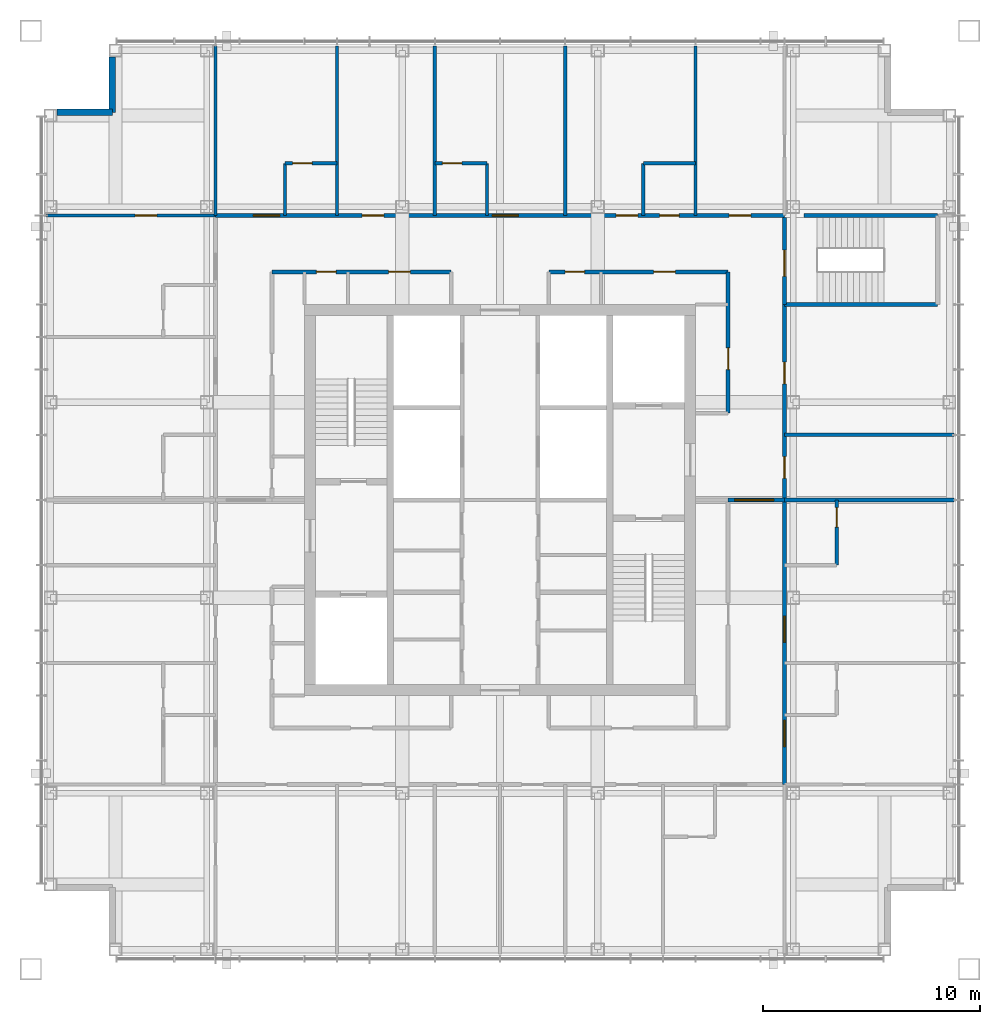
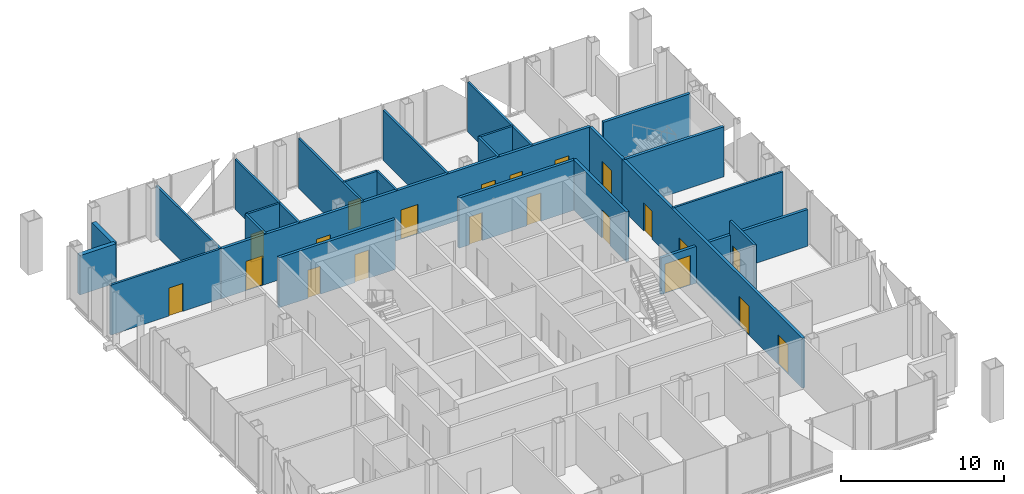
# One storey, part 10 of 14: 26 walls, 21 doors, 21 openings.
"""IFC4 building model written with IfcOpenShell, lengths in metres."""

from ifc_helpers import new_model, si_unit, direction, frame, frame_2d, origin, place, context, subcontext, project, spatial, rectangle, extrude, material, layer, layer_set, type_object, element, fill, save


model = new_model("IFC4")

# Units and contexts
model_context = context("Model", 3, precision=1e-05, world=origin(), true_north=direction((0.0, 1.0)))
body_context = subcontext(model_context, "Body", "Model", "MODEL_VIEW")
ifc_project = project(units=[si_unit("LENGTHUNIT", "METRE"), si_unit("AREAUNIT", "SQUARE_METRE"), si_unit("VOLUMEUNIT", "CUBIC_METRE"), si_unit("PLANEANGLEUNIT", "RADIAN"), si_unit("MASSUNIT", "GRAM", prefix="KILO")], contexts=[model_context])

# Site, building, storey
site_placement = place(None, origin())
site = spatial("IfcSite", under=ifc_project, at=site_placement, CompositionType="ELEMENT")
building_placement = place(site_placement, origin())
building = spatial("IfcBuilding", under=site, at=building_placement, Name="Malebo Sky Hospital", CompositionType="ELEMENT")
storey_placement = place(building_placement, frame((0.0, 0.0, 258.0)))
storey = spatial("IfcBuildingStorey", under=building, at=storey_placement, Name="L62", CompositionType="ELEMENT", Elevation=258.0)

# Wall, openings, doors
ifc_material_1 = material(Name="Gypsum board on steel studs", Category="steel")
ifc_layer_1 = layer(ifc_material_1, 0.199951171875)
ifc_layer_set_1 = layer_set([ifc_layer_1], Name="CORRIDOR WALL 200")
wall_type_1 = type_object("IfcWallType", Name="CORRIDOR WALL 200", PredefinedType="PARTITIONING", material=ifc_layer_set_1)
wall_1_placement = place(storey_placement, frame((46.89990234375, 75.10009765625, 0.0), z_axis=(0.0, 0.0, 1.0), x_axis=(1.0, 0.0, 0.0)))
wall_1 = element("IfcWall", 1, at=wall_1_placement, inside=storey, type_object=wall_type_1, Name="Corridor Wall 200 NCO", PredefinedType="PARTITIONING", context=body_context, shape_type="SweptSolid", body=[
    extrude(rectangle(XDim=26.2001953125, YDim=0.199951171875, at=frame_2d((13.10009765625, 0.0))), origin(), (0.0, 0.0, 1.0), 3.75),
])
opening_1_placement = place(wall_1_placement, frame((1.75, 0.0, 0.0)))
opening_1 = element("IfcOpeningElement", 2, at=opening_1_placement, cuts=wall_1, Name="Opening D01", PredefinedType="OPENING", context=body_context, shape_type="SweptSolid", body=[
    extrude(rectangle(XDim=1.199951171875, YDim=2.199951171875, at=frame_2d((0.60009765625, 1.10009765625))), frame((0.0, 0.10986328125, 0.0), z_axis=(0.0, -1.0, 0.0), x_axis=(1.0, 0.0, 0.0)), (0.0, 0.0, 1.0), 0.219970703125),
])
opening_2_placement = place(wall_1_placement, frame((6.75, 0.0, 0.0)))
opening_2 = element("IfcOpeningElement", 3, at=opening_2_placement, cuts=wall_1, Name="Opening D03", PredefinedType="OPENING", context=body_context, shape_type="SweptSolid", body=[
    extrude(rectangle(XDim=1.0, YDim=2.10009765625, at=frame_2d((0.5, 1.050048828125))), frame((0.0, 0.10986328125, 0.0), z_axis=(0.0, -1.0, 0.0), x_axis=(1.0, 0.0, 0.0)), (0.0, 0.0, 1.0), 0.219970703125),
])
opening_3_placement = place(wall_1_placement, frame((12.75, 0.0, 0.0)))
opening_3 = element("IfcOpeningElement", 4, at=opening_3_placement, cuts=wall_1, Name="Opening D01", PredefinedType="OPENING", context=body_context, shape_type="SweptSolid", body=[
    extrude(rectangle(XDim=1.199951171875, YDim=2.199951171875, at=frame_2d((0.60009765625, 1.10009765625))), frame((0.0, 0.10986328125, 0.0), z_axis=(0.0, -1.0, 0.0), x_axis=(1.0, 0.0, 0.0)), (0.0, 0.0, 1.0), 0.219970703125),
])
opening_4_placement = place(wall_1_placement, frame((20.449951171875, 0.0, 0.0)))
opening_4 = element("IfcOpeningElement", 5, at=opening_4_placement, cuts=wall_1, Name="Opening D04", PredefinedType="OPENING", context=body_context, shape_type="SweptSolid", body=[
    extrude(rectangle(XDim=0.89990234375, YDim=2.10009765625, at=frame_2d((0.449951171875, 1.050048828125))), frame((0.0, 0.10986328125, 0.0), z_axis=(0.0, -1.0, 0.0), x_axis=(1.0, 0.0, 0.0)), (0.0, 0.0, 1.0), 0.219970703125),
])
opening_5_placement = place(wall_1_placement, frame((18.449951171875, 0.0, 0.0)))
opening_5 = element("IfcOpeningElement", 6, at=opening_5_placement, cuts=wall_1, Name="Opening D03", PredefinedType="OPENING", context=body_context, shape_type="SweptSolid", body=[
    extrude(rectangle(XDim=1.0, YDim=2.10009765625, at=frame_2d((0.5, 1.050048828125))), frame((0.0, 0.10986328125, 0.0), z_axis=(0.0, -1.0, 0.0), x_axis=(1.0, 0.0, 0.0)), (0.0, 0.0, 1.0), 0.219970703125),
])
opening_6_placement = place(wall_1_placement, frame((23.64990234375, 0.0, 0.0)))
opening_6 = element("IfcOpeningElement", 7, at=opening_6_placement, cuts=wall_1, Name="Opening D03", PredefinedType="OPENING", context=body_context, shape_type="SweptSolid", body=[
    extrude(rectangle(XDim=1.0, YDim=2.10009765625, at=frame_2d((0.5, 1.050048828125))), frame((0.0, 0.10986328125, 0.0), z_axis=(0.0, -1.0, 0.0), x_axis=(1.0, 0.0, 0.0)), (0.0, 0.0, 1.0), 0.219970703125),
])
ifc_material_2 = material(Name="Hardwood-faced door leaf in steel frame", Category="steel")
door_type_1 = type_object("IfcDoorType", Name="BED DOOR 1200", OperationType="SINGLE_SWING_LEFT", PredefinedType="DOOR", material=ifc_material_2)
door_1_placement = place(opening_1_placement, origin())
door_1 = element("IfcDoor", 8, at=door_1_placement, inside=storey, type_object=door_type_1, Name="Single bed room door", OperationType="SINGLE_SWING_RIGHT", OverallHeight=2.199951171875, OverallWidth=1.199951171875, PredefinedType="DOOR", context=body_context, shape_type="SweptSolid", body=[
    extrude(rectangle(XDim=1.199951171875, YDim=2.199951171875, at=frame_2d((0.60009765625, 1.10009765625))), frame((0.0, 0.02490234375, 0.0), z_axis=(0.0, -1.0, 0.0), x_axis=(1.0, 0.0, 0.0)), (0.0, 0.0, 1.0), 0.050048828125),
])
fill(opening_1, door_1)
door_2_placement = place(opening_3_placement, origin())
door_2 = element("IfcDoor", 9, at=door_2_placement, inside=storey, type_object=door_type_1, Name="Two-bed room door", OperationType="SINGLE_SWING_LEFT", OverallHeight=2.199951171875, OverallWidth=1.199951171875, PredefinedType="DOOR", context=body_context, shape_type="SweptSolid", body=[
    extrude(rectangle(XDim=1.199951171875, YDim=2.199951171875, at=frame_2d((0.60009765625, 1.10009765625))), frame((0.0, 0.02490234375, 0.0), z_axis=(0.0, -1.0, 0.0), x_axis=(1.0, 0.0, 0.0)), (0.0, 0.0, 1.0), 0.050048828125),
])
fill(opening_3, door_2)
door_type_2 = type_object("IfcDoorType", Name="ROOM DOOR 1000", OperationType="SINGLE_SWING_LEFT", PredefinedType="DOOR", material=ifc_material_2)
door_3_placement = place(opening_2_placement, origin())
door_3 = element("IfcDoor", 10, at=door_3_placement, inside=storey, type_object=door_type_2, Name="Nurse station door", OperationType="SINGLE_SWING_LEFT", OverallHeight=2.10009765625, OverallWidth=1.0, PredefinedType="DOOR", context=body_context, shape_type="SweptSolid", body=[
    extrude(rectangle(XDim=1.0, YDim=2.10009765625, at=frame_2d((0.5, 1.050048828125))), frame((0.0, 0.02490234375, 0.0), z_axis=(0.0, -1.0, 0.0), x_axis=(1.0, 0.0, 0.0)), (0.0, 0.0, 1.0), 0.050048828125),
])
fill(opening_2, door_3)
door_4_placement = place(opening_5_placement, origin())
door_4 = element("IfcDoor", 11, at=door_4_placement, inside=storey, type_object=door_type_2, Name="Staff rest room door", OperationType="SINGLE_SWING_RIGHT", OverallHeight=2.10009765625, OverallWidth=1.0, PredefinedType="DOOR", context=body_context, shape_type="SweptSolid", body=[
    extrude(rectangle(XDim=1.0, YDim=2.10009765625, at=frame_2d((0.5, 1.050048828125))), frame((0.0, 0.02490234375, 0.0), z_axis=(0.0, -1.0, 0.0), x_axis=(1.0, 0.0, 0.0)), (0.0, 0.0, 1.0), 0.050048828125),
])
fill(opening_5, door_4)
door_5_placement = place(opening_6_placement, origin())
door_5 = element("IfcDoor", 12, at=door_5_placement, inside=storey, type_object=door_type_2, Name="Patient lounge door", OperationType="SINGLE_SWING_RIGHT", OverallHeight=2.10009765625, OverallWidth=1.0, PredefinedType="DOOR", context=body_context, shape_type="SweptSolid", body=[
    extrude(rectangle(XDim=1.0, YDim=2.10009765625, at=frame_2d((0.5, 1.050048828125))), frame((0.0, 0.02490234375, 0.0), z_axis=(0.0, -1.0, 0.0), x_axis=(1.0, 0.0, 0.0)), (0.0, 0.0, 1.0), 0.050048828125),
])
fill(opening_6, door_5)
door_type_3 = type_object("IfcDoorType", Name="ROOM DOOR 900", OperationType="SINGLE_SWING_LEFT", PredefinedType="DOOR", material=ifc_material_2)
door_6_placement = place(opening_4_placement, origin())
door_6 = element("IfcDoor", 13, at=door_6_placement, inside=storey, type_object=door_type_3, Name="Accessible WC door", OperationType="SINGLE_SWING_LEFT", OverallHeight=2.10009765625, OverallWidth=0.89990234375, PredefinedType="DOOR", context=body_context, shape_type="SweptSolid", body=[
    extrude(rectangle(XDim=0.89990234375, YDim=2.10009765625, at=frame_2d((0.449951171875, 1.050048828125))), frame((0.0, 0.02490234375, 0.0), z_axis=(0.0, -1.0, 0.0), x_axis=(1.0, 0.0, 0.0)), (0.0, 0.0, 1.0), 0.050048828125),
])
fill(opening_4, door_6)

wall_2_placement = place(storey_placement, frame((49.5, 72.5, 0.0), z_axis=(0.0, 0.0, 1.0), x_axis=(1.0, 0.0, 0.0)))
wall_2 = element("IfcWall", 14, at=wall_2_placement, inside=storey, type_object=wall_type_1, Name="Corridor Wall 200 NCI1", PredefinedType="PARTITIONING", context=body_context, shape_type="SweptSolid", body=[
    extrude(rectangle(XDim=8.25, YDim=0.199951171875, at=frame_2d((4.125, 0.0))), origin(), (0.0, 0.0, 1.0), 3.75),
])
opening_7_placement = place(wall_2_placement, frame((2.050048828125, 0.0, 0.0)))
opening_7 = element("IfcOpeningElement", 15, at=opening_7_placement, cuts=wall_2, Name="Opening D04", PredefinedType="OPENING", context=body_context, shape_type="SweptSolid", body=[
    extrude(rectangle(XDim=0.89990234375, YDim=2.10009765625, at=frame_2d((0.449951171875, 1.050048828125))), frame((0.0, 0.10986328125, 0.0), z_axis=(0.0, -1.0, 0.0), x_axis=(1.0, 0.0, 0.0)), (0.0, 0.0, 1.0), 0.219970703125),
])
opening_8_placement = place(wall_2_placement, frame((5.375, 0.0, 0.0)))
opening_8 = element("IfcOpeningElement", 16, at=opening_8_placement, cuts=wall_2, Name="Opening D03", PredefinedType="OPENING", context=body_context, shape_type="SweptSolid", body=[
    extrude(rectangle(XDim=1.0, YDim=2.10009765625, at=frame_2d((0.5, 1.050048828125))), frame((0.0, 0.10986328125, 0.0), z_axis=(0.0, -1.0, 0.0), x_axis=(1.0, 0.0, 0.0)), (0.0, 0.0, 1.0), 0.219970703125),
])
door_7_placement = place(opening_8_placement, origin())
door_7 = element("IfcDoor", 17, at=door_7_placement, inside=storey, type_object=door_type_2, Name="Linen store door", OperationType="SINGLE_SWING_LEFT", OverallHeight=2.10009765625, OverallWidth=1.0, PredefinedType="DOOR", context=body_context, shape_type="SweptSolid", body=[
    extrude(rectangle(XDim=1.0, YDim=2.10009765625, at=frame_2d((0.5, 1.050048828125))), frame((0.0, 0.02490234375, 0.0), z_axis=(0.0, -1.0, 0.0), x_axis=(1.0, 0.0, 0.0)), (0.0, 0.0, 1.0), 0.050048828125),
])
fill(opening_8, door_7)
door_8_placement = place(opening_7_placement, origin())
door_8 = element("IfcDoor", 18, at=door_8_placement, inside=storey, type_object=door_type_3, Name="Staff WC door", OperationType="SINGLE_SWING_LEFT", OverallHeight=2.10009765625, OverallWidth=0.89990234375, PredefinedType="DOOR", context=body_context, shape_type="SweptSolid", body=[
    extrude(rectangle(XDim=0.89990234375, YDim=2.10009765625, at=frame_2d((0.449951171875, 1.050048828125))), frame((0.0, 0.02490234375, 0.0), z_axis=(0.0, -1.0, 0.0), x_axis=(1.0, 0.0, 0.0)), (0.0, 0.0, 1.0), 0.050048828125),
])
fill(opening_7, door_8)

wall_3_placement = place(storey_placement, frame((62.25, 72.5, 0.0), z_axis=(0.0, 0.0, 1.0), x_axis=(1.0, 0.0, 0.0)))
wall_3 = element("IfcWall", 19, at=wall_3_placement, inside=storey, type_object=wall_type_1, Name="Corridor Wall 200 NCI2", PredefinedType="PARTITIONING", context=body_context, shape_type="SweptSolid", body=[
    extrude(rectangle(XDim=8.25, YDim=0.199951171875, at=frame_2d((4.125, 0.0))), origin(), (0.0, 0.0, 1.0), 3.75),
])
opening_9_placement = place(wall_3_placement, frame((0.75, 0.0, 0.0)))
opening_9 = element("IfcOpeningElement", 20, at=opening_9_placement, cuts=wall_3, Name="Opening D04", PredefinedType="OPENING", context=body_context, shape_type="SweptSolid", body=[
    extrude(rectangle(XDim=0.89990234375, YDim=2.10009765625, at=frame_2d((0.449951171875, 1.050048828125))), frame((0.0, 0.10986328125, 0.0), z_axis=(0.0, -1.0, 0.0), x_axis=(1.0, 0.0, 0.0)), (0.0, 0.0, 1.0), 0.219970703125),
])
opening_10_placement = place(wall_3_placement, frame((4.824951171875, 0.0, 0.0)))
opening_10 = element("IfcOpeningElement", 21, at=opening_10_placement, cuts=wall_3, Name="Opening D03", PredefinedType="OPENING", context=body_context, shape_type="SweptSolid", body=[
    extrude(rectangle(XDim=1.0, YDim=2.10009765625, at=frame_2d((0.5, 1.050048828125))), frame((0.0, 0.10986328125, 0.0), z_axis=(0.0, -1.0, 0.0), x_axis=(1.0, 0.0, 0.0)), (0.0, 0.0, 1.0), 0.219970703125),
])
door_9_placement = place(opening_10_placement, origin())
door_9 = element("IfcDoor", 22, at=door_9_placement, inside=storey, type_object=door_type_2, Name="Supplies store door", OperationType="SINGLE_SWING_RIGHT", OverallHeight=2.10009765625, OverallWidth=1.0, PredefinedType="DOOR", context=body_context, shape_type="SweptSolid", body=[
    extrude(rectangle(XDim=1.0, YDim=2.10009765625, at=frame_2d((0.5, 1.050048828125))), frame((0.0, 0.02490234375, 0.0), z_axis=(0.0, -1.0, 0.0), x_axis=(1.0, 0.0, 0.0)), (0.0, 0.0, 1.0), 0.050048828125),
])
fill(opening_10, door_9)
door_10_placement = place(opening_9_placement, origin())
door_10 = element("IfcDoor", 23, at=door_10_placement, inside=storey, type_object=door_type_3, Name="Cleaner's room door", OperationType="SINGLE_SWING_LEFT", OverallHeight=2.10009765625, OverallWidth=0.89990234375, PredefinedType="DOOR", context=body_context, shape_type="SweptSolid", body=[
    extrude(rectangle(XDim=0.89990234375, YDim=2.10009765625, at=frame_2d((0.449951171875, 1.050048828125))), frame((0.0, 0.02490234375, 0.0), z_axis=(0.0, -1.0, 0.0), x_axis=(1.0, 0.0, 0.0)), (0.0, 0.0, 1.0), 0.050048828125),
])
fill(opening_9, door_10)

wall_4_placement = place(storey_placement, frame((73.10009765625, 71.0, 0.0), z_axis=(0.0, 0.0, 1.0), x_axis=(0.0, -1.0, 0.0)))
wall_4 = element("IfcWall", 24, at=wall_4_placement, inside=storey, type_object=wall_type_1, Name="Corridor Wall 200 ECO", PredefinedType="PARTITIONING", context=body_context, shape_type="SweptSolid", body=[
    extrude(rectangle(XDim=22.10009765625, YDim=0.199951171875, at=frame_2d((11.050048828125, 0.0))), origin(), (0.0, 0.0, 1.0), 3.75),
])
opening_11_placement = place(wall_4_placement, frame((2.64990234375, 0.0, 0.0)))
opening_11 = element("IfcOpeningElement", 25, at=opening_11_placement, cuts=wall_4, Name="Opening D03", PredefinedType="OPENING", context=body_context, shape_type="SweptSolid", body=[
    extrude(rectangle(XDim=1.0, YDim=2.10009765625, at=frame_2d((0.5, 1.050048828125))), frame((0.0, 0.10986328125, 0.0), z_axis=(0.0, -1.0, 0.0), x_axis=(1.0, 0.0, 0.0)), (0.0, 0.0, 1.0), 0.219970703125),
])
opening_12_placement = place(wall_4_placement, frame((7.0, 0.0, 0.0)))
opening_12 = element("IfcOpeningElement", 26, at=opening_12_placement, cuts=wall_4, Name="Opening D03", PredefinedType="OPENING", context=body_context, shape_type="SweptSolid", body=[
    extrude(rectangle(XDim=1.0, YDim=2.10009765625, at=frame_2d((0.5, 1.050048828125))), frame((0.0, 0.10986328125, 0.0), z_axis=(0.0, -1.0, 0.0), x_axis=(1.0, 0.0, 0.0)), (0.0, 0.0, 1.0), 0.219970703125),
])
opening_13_placement = place(wall_4_placement, frame((14.35009765625, 0.0, 0.0)))
opening_13 = element("IfcOpeningElement", 27, at=opening_13_placement, cuts=wall_4, Name="Opening D01", PredefinedType="OPENING", context=body_context, shape_type="SweptSolid", body=[
    extrude(rectangle(XDim=1.199951171875, YDim=2.199951171875, at=frame_2d((0.60009765625, 1.10009765625))), frame((0.0, 0.10986328125, 0.0), z_axis=(0.0, -1.0, 0.0), x_axis=(1.0, 0.0, 0.0)), (0.0, 0.0, 1.0), 0.219970703125),
])
opening_14_placement = place(wall_4_placement, frame((19.14990234375, 0.0, 0.0)))
opening_14 = element("IfcOpeningElement", 28, at=opening_14_placement, cuts=wall_4, Name="Opening D01", PredefinedType="OPENING", context=body_context, shape_type="SweptSolid", body=[
    extrude(rectangle(XDim=1.199951171875, YDim=2.199951171875, at=frame_2d((0.60009765625, 1.10009765625))), frame((0.0, 0.10986328125, 0.0), z_axis=(0.0, -1.0, 0.0), x_axis=(1.0, 0.0, 0.0)), (0.0, 0.0, 1.0), 0.219970703125),
])
door_11_placement = place(opening_13_placement, origin())
door_11 = element("IfcDoor", 29, at=door_11_placement, inside=storey, type_object=door_type_1, Name="Two-bed room door", OperationType="SINGLE_SWING_RIGHT", OverallHeight=2.199951171875, OverallWidth=1.199951171875, PredefinedType="DOOR", context=body_context, shape_type="SweptSolid", body=[
    extrude(rectangle(XDim=1.199951171875, YDim=2.199951171875, at=frame_2d((0.60009765625, 1.10009765625))), frame((0.0, 0.02490234375, 0.0), z_axis=(0.0, -1.0, 0.0), x_axis=(1.0, 0.0, 0.0)), (0.0, 0.0, 1.0), 0.050048828125),
])
fill(opening_13, door_11)
door_12_placement = place(opening_14_placement, origin())
door_12 = element("IfcDoor", 30, at=door_12_placement, inside=storey, type_object=door_type_1, Name="Day treatment bay door", OperationType="SINGLE_SWING_LEFT", OverallHeight=2.199951171875, OverallWidth=1.199951171875, PredefinedType="DOOR", context=body_context, shape_type="SweptSolid", body=[
    extrude(rectangle(XDim=1.199951171875, YDim=2.199951171875, at=frame_2d((0.60009765625, 1.10009765625))), frame((0.0, 0.02490234375, 0.0), z_axis=(0.0, -1.0, 0.0), x_axis=(1.0, 0.0, 0.0)), (0.0, 0.0, 1.0), 0.050048828125),
])
fill(opening_14, door_12)
door_13_placement = place(opening_11_placement, origin())
door_13 = element("IfcDoor", 31, at=door_13_placement, inside=storey, type_object=door_type_2, Name="Ward office door", OperationType="SINGLE_SWING_RIGHT", OverallHeight=2.10009765625, OverallWidth=1.0, PredefinedType="DOOR", context=body_context, shape_type="SweptSolid", body=[
    extrude(rectangle(XDim=1.0, YDim=2.10009765625, at=frame_2d((0.5, 1.050048828125))), frame((0.0, 0.02490234375, 0.0), z_axis=(0.0, -1.0, 0.0), x_axis=(1.0, 0.0, 0.0)), (0.0, 0.0, 1.0), 0.050048828125),
])
fill(opening_11, door_13)
door_14_placement = place(opening_12_placement, origin())
door_14 = element("IfcDoor", 32, at=door_14_placement, inside=storey, type_object=door_type_2, Name="Interview room door", OperationType="SINGLE_SWING_RIGHT", OverallHeight=2.10009765625, OverallWidth=1.0, PredefinedType="DOOR", context=body_context, shape_type="SweptSolid", body=[
    extrude(rectangle(XDim=1.0, YDim=2.10009765625, at=frame_2d((0.5, 1.050048828125))), frame((0.0, 0.02490234375, 0.0), z_axis=(0.0, -1.0, 0.0), x_axis=(1.0, 0.0, 0.0)), (0.0, 0.0, 1.0), 0.050048828125),
])
fill(opening_12, door_14)

# Wall, opening, door
wall_5_placement = place(storey_placement, frame((70.5, 72.5, 0.0), z_axis=(0.0, 0.0, 1.0), x_axis=(0.0, -1.0, 0.0)))
wall_5 = element("IfcWall", 33, at=wall_5_placement, inside=storey, type_object=wall_type_1, Name="Corridor Wall 200 ECI1", PredefinedType="PARTITIONING", context=body_context, shape_type="SweptSolid", body=[
    extrude(rectangle(XDim=6.5, YDim=0.199951171875, at=frame_2d((3.25, 0.0))), origin(), (0.0, 0.0, 1.0), 3.75),
])
opening_15_placement = place(wall_5_placement, frame((3.5, 0.0, 0.0)))
opening_15 = element("IfcOpeningElement", 34, at=opening_15_placement, cuts=wall_5, Name="Opening D03", PredefinedType="OPENING", context=body_context, shape_type="SweptSolid", body=[
    extrude(rectangle(XDim=1.0, YDim=2.10009765625, at=frame_2d((0.5, 1.050048828125))), frame((0.0, 0.10986328125, 0.0), z_axis=(0.0, -1.0, 0.0), x_axis=(1.0, 0.0, 0.0)), (0.0, 0.0, 1.0), 0.219970703125),
])
door_15_placement = place(opening_15_placement, origin())
door_15 = element("IfcDoor", 35, at=door_15_placement, inside=storey, type_object=door_type_2, Name="Hoist store door", OperationType="SINGLE_SWING_LEFT", OverallHeight=2.10009765625, OverallWidth=1.0, PredefinedType="DOOR", context=body_context, shape_type="SweptSolid", body=[
    extrude(rectangle(XDim=1.0, YDim=2.10009765625, at=frame_2d((0.5, 1.050048828125))), frame((0.0, 0.02490234375, 0.0), z_axis=(0.0, -1.0, 0.0), x_axis=(1.0, 0.0, 0.0)), (0.0, 0.0, 1.0), 0.050048828125),
])
fill(opening_15, door_15)

# Walls
ifc_material_3 = material(Name="Anodised aluminium rainscreen on steel framing", Category="steel")
ifc_layer_2 = layer(ifc_material_3, 0.300048828125)
ifc_layer_set_2 = layer_set([ifc_layer_2], Name="NOTCH RAINSCREEN WALL 300")
wall_type_2 = type_object("IfcWallType", Name="NOTCH RAINSCREEN WALL 300", PredefinedType="ELEMENTEDWALL", material=ifc_layer_set_2)
for number, where, z_axis, x_axis, name in (
    (36, (39.60009765625, 79.85009765625, 0.0), (0.0, 0.0, 1.0), (1.0, 0.0, 0.0), "Notch rainscreen wall W1 L62"),
    (37, (42.14990234375, 79.85009765625, 0.0), (0.0, 0.0, 1.0), (0.0, 1.0, 0.0), "Notch rainscreen wall W2 L62"),
):
    element("IfcWall", number, at=place(storey_placement, frame(where, z_axis=z_axis, x_axis=x_axis)), inside=storey, type_object=wall_type_2, Name=name, PredefinedType="ELEMENTEDWALL", context=body_context, shape_type="SweptSolid", body=[
        extrude(rectangle(XDim=2.5498046875, YDim=0.300048828125, at=frame_2d((1.27490234375, 0.0))), origin(), (0.0, 0.0, 1.0), 2.949951171875),
    ])
ifc_layer_3 = layer(ifc_material_1, 0.14990234375)
ifc_layer_set_3 = layer_set([ifc_layer_3], Name="PARTITION 150")
wall_type_3 = type_object("IfcWallType", Name="PARTITION 150", PredefinedType="PARTITIONING", material=ifc_layer_set_3)
for number, where, z_axis, x_axis, name in (
    (38, (52.5, 75.10009765625, 0.0), (0.0, 0.0, 1.0), (0.0, 1.0, 0.0), "Partition 150 NP-7.5"),
    (39, (57.0, 75.10009765625, 0.0), (0.0, 0.0, 1.0), (0.0, 1.0, 0.0), "Partition 150 NP-3.0"),
    (40, (63.0, 75.10009765625, 0.0), (0.0, 0.0, 1.0), (0.0, 1.0, 0.0), "Partition 150 NP+3.0"),
    (41, (69.0, 75.10009765625, 0.0), (0.0, 0.0, 1.0), (0.0, 1.0, 0.0), "Partition 150 NP+9.0"),
    (42, (46.89990234375, 75.10009765625, 0.0), (0.0, 0.0, 1.0), (0.0, 1.0, 0.0), "Partition 150 NP0"),
):
    element("IfcWall", number, at=place(storey_placement, frame(where, z_axis=z_axis, x_axis=x_axis)), inside=storey, type_object=wall_type_3, Name=name, PredefinedType="PARTITIONING", context=body_context, shape_type="SweptSolid", body=[
        extrude(rectangle(XDim=7.7998046875, YDim=0.14990234375, at=frame_2d((3.89990234375, 0.0))), origin(), (0.0, 0.0, 1.0), 3.75),
    ])

# Wall, opening, door
wall_6_placement = place(storey_placement, frame((50.10009765625, 77.5, 0.0), z_axis=(0.0, 0.0, 1.0), x_axis=(1.0, 0.0, 0.0)))
wall_6 = element("IfcWall", 43, at=wall_6_placement, inside=storey, type_object=wall_type_3, Name="Partition 150 NE0F", PredefinedType="PARTITIONING", context=body_context, shape_type="SweptSolid", body=[
    extrude(rectangle(XDim=2.39990234375, YDim=0.14990234375, at=frame_2d((1.199951171875, 0.0))), origin(), (0.0, 0.0, 1.0), 3.75),
])
opening_16_placement = place(wall_6_placement, frame((0.35009765625, 0.0, 0.0)))
opening_16 = element("IfcOpeningElement", 44, at=opening_16_placement, cuts=wall_6, Name="Opening D02", PredefinedType="OPENING", context=body_context, shape_type="SweptSolid", body=[
    extrude(rectangle(XDim=0.89990234375, YDim=2.10009765625, at=frame_2d((0.449951171875, 1.050048828125))), frame((0.0, 0.0849609375, 0.0), z_axis=(0.0, -1.0, 0.0), x_axis=(1.0, 0.0, 0.0)), (0.0, 0.0, 1.0), 0.169921875),
])
door_type_4 = type_object("IfcDoorType", Name="EN-SUITE DOOR 900", OperationType="SINGLE_SWING_LEFT", PredefinedType="DOOR", material=ifc_material_2)
door_16_placement = place(opening_16_placement, origin())
door_16 = element("IfcDoor", 45, at=door_16_placement, inside=storey, type_object=door_type_4, Name="En-suite door", OperationType="SINGLE_SWING_LEFT", OverallHeight=2.10009765625, OverallWidth=0.89990234375, PredefinedType="DOOR", context=body_context, shape_type="SweptSolid", body=[
    extrude(rectangle(XDim=0.89990234375, YDim=2.10009765625, at=frame_2d((0.449951171875, 1.050048828125))), frame((0.0, 0.02490234375, 0.0), z_axis=(0.0, -1.0, 0.0), x_axis=(1.0, 0.0, 0.0)), (0.0, 0.0, 1.0), 0.050048828125),
])
fill(opening_16, door_16)

# Wall
wall_7_placement = place(storey_placement, frame((50.10009765625, 75.10009765625, 0.0), z_axis=(0.0, 0.0, 1.0), x_axis=(0.0, 1.0, 0.0)))
element("IfcWall", 46, at=wall_7_placement, inside=storey, type_object=wall_type_3, Name="Partition 150 NE0S", PredefinedType="PARTITIONING", context=body_context, shape_type="SweptSolid", body=[
    extrude(rectangle(XDim=2.39990234375, YDim=0.14990234375, at=frame_2d((1.199951171875, 0.0))), origin(), (0.0, 0.0, 1.0), 3.75),
])

# Wall, opening, door
wall_8_placement = place(storey_placement, frame((57.0, 77.5, 0.0), z_axis=(0.0, 0.0, 1.0), x_axis=(1.0, 0.0, 0.0)))
wall_8 = element("IfcWall", 47, at=wall_8_placement, inside=storey, type_object=wall_type_3, Name="Partition 150 NE2F", PredefinedType="PARTITIONING", context=body_context, shape_type="SweptSolid", body=[
    extrude(rectangle(XDim=2.39990234375, YDim=0.14990234375, at=frame_2d((1.199951171875, 0.0))), origin(), (0.0, 0.0, 1.0), 3.75),
])
opening_17_placement = place(wall_8_placement, frame((0.35009765625, 0.0, 0.0)))
opening_17 = element("IfcOpeningElement", 48, at=opening_17_placement, cuts=wall_8, Name="Opening D02", PredefinedType="OPENING", context=body_context, shape_type="SweptSolid", body=[
    extrude(rectangle(XDim=0.89990234375, YDim=2.10009765625, at=frame_2d((0.449951171875, 1.050048828125))), frame((0.0, 0.0849609375, 0.0), z_axis=(0.0, -1.0, 0.0), x_axis=(1.0, 0.0, 0.0)), (0.0, 0.0, 1.0), 0.169921875),
])
door_17_placement = place(opening_17_placement, origin())
door_17 = element("IfcDoor", 49, at=door_17_placement, inside=storey, type_object=door_type_4, Name="En-suite door", OperationType="SINGLE_SWING_LEFT", OverallHeight=2.10009765625, OverallWidth=0.89990234375, PredefinedType="DOOR", context=body_context, shape_type="SweptSolid", body=[
    extrude(rectangle(XDim=0.89990234375, YDim=2.10009765625, at=frame_2d((0.449951171875, 1.050048828125))), frame((0.0, 0.02490234375, 0.0), z_axis=(0.0, -1.0, 0.0), x_axis=(1.0, 0.0, 0.0)), (0.0, 0.0, 1.0), 0.050048828125),
])
fill(opening_17, door_17)

# Walls
for number, where, z_axis, x_axis, name in (
    (50, (59.39990234375, 75.10009765625, 0.0), (0.0, 0.0, 1.0), (0.0, 1.0, 0.0), "Partition 150 NE2S"),
    (51, (66.60009765625, 77.5, 0.0), (0.0, 0.0, 1.0), (1.0, 0.0, 0.0), "Partition 150 NC3F"),
    (52, (66.60009765625, 75.10009765625, 0.0), (0.0, 0.0, 1.0), (0.0, 1.0, 0.0), "Partition 150 NC3S"),
):
    element("IfcWall", number, at=place(storey_placement, frame(where, z_axis=z_axis, x_axis=x_axis)), inside=storey, type_object=wall_type_3, Name=name, PredefinedType="PARTITIONING", context=body_context, shape_type="SweptSolid", body=[
        extrude(rectangle(XDim=2.39990234375, YDim=0.14990234375, at=frame_2d((1.199951171875, 0.0))), origin(), (0.0, 0.0, 1.0), 3.75),
    ])

# Wall, opening, door
wall_9_placement = place(storey_placement, frame((46.89990234375, 75.10009765625, 0.0), z_axis=(0.0, 0.0, 1.0), x_axis=(-1.0, 0.0, 0.0)))
wall_9 = element("IfcWall", 53, at=wall_9_placement, inside=storey, type_object=wall_type_3, Name="Partition 150 WK", PredefinedType="PARTITIONING", context=body_context, shape_type="SweptSolid", body=[
    extrude(rectangle(XDim=7.7998046875, YDim=0.14990234375, at=frame_2d((3.89990234375, 0.0))), origin(), (0.0, 0.0, 1.0), 3.75),
])
opening_18_placement = place(wall_9_placement, frame((2.699951171875, 0.0, 0.0)))
opening_18 = element("IfcOpeningElement", 54, at=opening_18_placement, cuts=wall_9, Name="Opening D03", PredefinedType="OPENING", context=body_context, shape_type="SweptSolid", body=[
    extrude(rectangle(XDim=1.0, YDim=2.10009765625, at=frame_2d((0.5, 1.050048828125))), frame((0.0, 0.0849609375, 0.0), z_axis=(0.0, -1.0, 0.0), x_axis=(1.0, 0.0, 0.0)), (0.0, 0.0, 1.0), 0.169921875),
])
door_18_placement = place(opening_18_placement, origin())
door_18 = element("IfcDoor", 55, at=door_18_placement, inside=storey, type_object=door_type_2, Name="Infusion chair bay door", OperationType="SINGLE_SWING_LEFT", OverallHeight=2.10009765625, OverallWidth=1.0, PredefinedType="DOOR", context=body_context, shape_type="SweptSolid", body=[
    extrude(rectangle(XDim=1.0, YDim=2.10009765625, at=frame_2d((0.5, 1.050048828125))), frame((0.0, 0.02490234375, 0.0), z_axis=(0.0, -1.0, 0.0), x_axis=(1.0, 0.0, 0.0)), (0.0, 0.0, 1.0), 0.050048828125),
])
fill(opening_18, door_18)

# Wall
wall_10_placement = place(storey_placement, frame((73.10009765625, 65.0, 0.0), z_axis=(0.0, 0.0, 1.0), x_axis=(1.0, 0.0, 0.0)))
element("IfcWall", 56, at=wall_10_placement, inside=storey, type_object=wall_type_3, Name="Partition 150 EP-3.0", PredefinedType="PARTITIONING", context=body_context, shape_type="SweptSolid", body=[
    extrude(rectangle(XDim=7.7998046875, YDim=0.14990234375, at=frame_2d((3.89990234375, 0.0))), origin(), (0.0, 0.0, 1.0), 3.75),
])

# Wall, opening, door
wall_11_placement = place(storey_placement, frame((75.5, 62.0, 0.0), z_axis=(0.0, 0.0, 1.0), x_axis=(0.0, -1.0, 0.0)))
wall_11 = element("IfcWall", 57, at=wall_11_placement, inside=storey, type_object=wall_type_3, Name="Partition 150 EE3F", PredefinedType="PARTITIONING", context=body_context, shape_type="SweptSolid", body=[
    extrude(rectangle(XDim=3.0, YDim=0.14990234375, at=frame_2d((1.5, 0.0))), origin(), (0.0, 0.0, 1.0), 3.75),
])
opening_19_placement = place(wall_11_placement, frame((0.35009765625, 0.0, 0.0)))
opening_19 = element("IfcOpeningElement", 58, at=opening_19_placement, cuts=wall_11, Name="Opening D02", PredefinedType="OPENING", context=body_context, shape_type="SweptSolid", body=[
    extrude(rectangle(XDim=0.89990234375, YDim=2.10009765625, at=frame_2d((0.449951171875, 1.050048828125))), frame((0.0, 0.0849609375, 0.0), z_axis=(0.0, -1.0, 0.0), x_axis=(1.0, 0.0, 0.0)), (0.0, 0.0, 1.0), 0.169921875),
])
door_19_placement = place(opening_19_placement, origin())
door_19 = element("IfcDoor", 59, at=door_19_placement, inside=storey, type_object=door_type_4, Name="En-suite door", OperationType="SINGLE_SWING_LEFT", OverallHeight=2.10009765625, OverallWidth=0.89990234375, PredefinedType="DOOR", context=body_context, shape_type="SweptSolid", body=[
    extrude(rectangle(XDim=0.89990234375, YDim=2.10009765625, at=frame_2d((0.449951171875, 1.050048828125))), frame((0.0, 0.02490234375, 0.0), z_axis=(0.0, -1.0, 0.0), x_axis=(1.0, 0.0, 0.0)), (0.0, 0.0, 1.0), 0.050048828125),
])
fill(opening_19, door_19)

# Wall
ifc_material_4 = material(Name="Concrete blockwork", Category="masonry")
ifc_layer_4 = layer(ifc_material_4, 0.199951171875)
ifc_layer_set_4 = layer_set([ifc_layer_4], Name="SMOKE BARRIER WALL 200")
wall_type_4 = type_object("IfcWallType", Name="SMOKE BARRIER WALL 200", PredefinedType="SOLIDWALL", material=ifc_layer_set_4)
wall_12_placement = place(storey_placement, frame((73.10009765625, 62.0, 0.0), z_axis=(0.0, 0.0, 1.0), x_axis=(1.0, 0.0, 0.0)))
element("IfcWall", 60, at=wall_12_placement, inside=storey, type_object=wall_type_4, Name="Smoke Barrier Wall 200 EP+0.0", PredefinedType="SOLIDWALL", context=body_context, shape_type="SweptSolid", body=[
    extrude(rectangle(XDim=7.7998046875, YDim=0.199951171875, at=frame_2d((3.89990234375, 0.0))), origin(), (0.0, 0.0, 1.0), 2.75),
])

# Wall, opening, door
wall_13_placement = place(storey_placement, frame((70.5, 62.0, 0.0), z_axis=(0.0, 0.0, 1.0), x_axis=(1.0, 0.0, 0.0)))
wall_13 = element("IfcWall", 61, at=wall_13_placement, inside=storey, type_object=wall_type_4, Name="Smoke Barrier Wall 200 ESB", PredefinedType="SOLIDWALL", context=body_context, shape_type="SweptSolid", body=[
    extrude(rectangle(XDim=2.60009765625, YDim=0.199951171875, at=frame_2d((1.300048828125, 0.0))), origin(), (0.0, 0.0, 1.0), 2.75),
])
opening_20_placement = place(wall_13_placement, frame((0.300048828125, 0.0, 0.0)))
opening_20 = element("IfcOpeningElement", 62, at=opening_20_placement, cuts=wall_13, Name="Opening D05", PredefinedType="OPENING", context=body_context, shape_type="SweptSolid", body=[
    extrude(rectangle(XDim=1.800048828125, YDim=2.199951171875, at=frame_2d((0.89990234375, 1.10009765625))), frame((0.0, 0.10986328125, 0.0), z_axis=(0.0, -1.0, 0.0), x_axis=(1.0, 0.0, 0.0)), (0.0, 0.0, 1.0), 0.219970703125),
])
door_type_5 = type_object("IfcDoorType", Name="SMOKE DOOR PAIR 1800", OperationType="DOUBLE_DOOR_DOUBLE_SWING", PredefinedType="DOOR", material=ifc_material_2)
door_20_placement = place(opening_20_placement, origin())
door_20 = element("IfcDoor", 63, at=door_20_placement, inside=storey, type_object=door_type_5, Name="Smoke compartment door pair", OperationType="DOUBLE_DOOR_DOUBLE_SWING", OverallHeight=2.199951171875, OverallWidth=1.800048828125, PredefinedType="DOOR", context=body_context, shape_type="SweptSolid", body=[
    extrude(rectangle(XDim=1.800048828125, YDim=2.199951171875, at=frame_2d((0.89990234375, 1.10009765625))), frame((0.0, 0.02490234375, 0.0), z_axis=(0.0, -1.0, 0.0), x_axis=(1.0, 0.0, 0.0)), (0.0, 0.0, 1.0), 0.050048828125),
])
fill(opening_20, door_20)

ifc_material_5 = material(Name="Concrete C40/50", Category="concrete")
ifc_layer_5 = layer(ifc_material_5, 0.199951171875)
ifc_layer_set_5 = layer_set([ifc_layer_5], Name="STAIR ENCLOSURE WALL 200")
wall_type_5 = type_object("IfcWallType", Name="STAIR ENCLOSURE WALL 200", PredefinedType="SOLIDWALL", material=ifc_layer_set_5)
wall_14_placement = place(storey_placement, frame((73.10009765625, 75.0, 0.0), z_axis=(0.0, 0.0, 1.0), x_axis=(0.0, -1.0, 0.0)))
wall_14 = element("IfcWall", 64, at=wall_14_placement, inside=storey, type_object=wall_type_5, Name="Stair Enclosure Wall 200 ST3W", PredefinedType="SOLIDWALL", context=body_context, shape_type="SweptSolid", body=[
    extrude(rectangle(XDim=4.0, YDim=0.199951171875, at=frame_2d((2.0, 0.0))), origin(), (0.0, 0.0, 1.0), 3.75),
])
opening_21_placement = place(wall_14_placement, frame((1.5, 0.0, 0.0)))
opening_21 = element("IfcOpeningElement", 65, at=opening_21_placement, cuts=wall_14, Name="Opening D08", PredefinedType="OPENING", context=body_context, shape_type="SweptSolid", body=[
    extrude(rectangle(XDim=1.199951171875, YDim=2.10009765625, at=frame_2d((0.60009765625, 1.050048828125))), frame((0.0, 0.10986328125, 0.0), z_axis=(0.0, -1.0, 0.0), x_axis=(1.0, 0.0, 0.0)), (0.0, 0.0, 1.0), 0.219970703125),
])
door_type_6 = type_object("IfcDoorType", Name="STAIR DOOR 1200", OperationType="SINGLE_SWING_LEFT", PredefinedType="DOOR", material=ifc_material_2)
door_21_placement = place(opening_21_placement, origin())
door_21 = element("IfcDoor", 66, at=door_21_placement, inside=storey, type_object=door_type_6, Name="Stair S3 door", OperationType="SINGLE_SWING_RIGHT", OverallHeight=2.10009765625, OverallWidth=1.199951171875, PredefinedType="DOOR", context=body_context, shape_type="SweptSolid", body=[
    extrude(rectangle(XDim=1.199951171875, YDim=2.10009765625, at=frame_2d((0.60009765625, 1.050048828125))), frame((0.0, 0.02490234375, 0.0), z_axis=(0.0, -1.0, 0.0), x_axis=(1.0, 0.0, 0.0)), (0.0, 0.0, 1.0), 0.050048828125),
])
fill(opening_21, door_21)

# Walls
wall_15_placement = place(storey_placement, frame((73.10009765625, 71.0, 0.0), z_axis=(0.0, 0.0, 1.0), x_axis=(1.0, 0.0, 0.0)))
element("IfcWall", 67, at=wall_15_placement, inside=storey, type_object=wall_type_5, Name="Stair Enclosure Wall 200 ST3S", PredefinedType="SOLIDWALL", context=body_context, shape_type="SweptSolid", body=[
    extrude(rectangle(XDim=7.0498046875, YDim=0.199951171875, at=frame_2d((3.52490234375, 0.0))), origin(), (0.0, 0.0, 1.0), 3.75),
])
wall_16_placement = place(storey_placement, frame((74.0, 75.10009765625, 0.0), z_axis=(0.0, 0.0, 1.0), x_axis=(1.0, 0.0, 0.0)))
element("IfcWall", 68, at=wall_16_placement, inside=storey, type_object=wall_type_5, Name="Stair Enclosure Wall 200 ST3N", PredefinedType="SOLIDWALL", context=body_context, shape_type="SweptSolid", body=[
    extrude(rectangle(XDim=6.14990234375, YDim=0.199951171875, at=frame_2d((3.074951171875, 0.0))), origin(), (0.0, 0.0, 1.0), 3.75),
])

save(model, "model.ifc")
